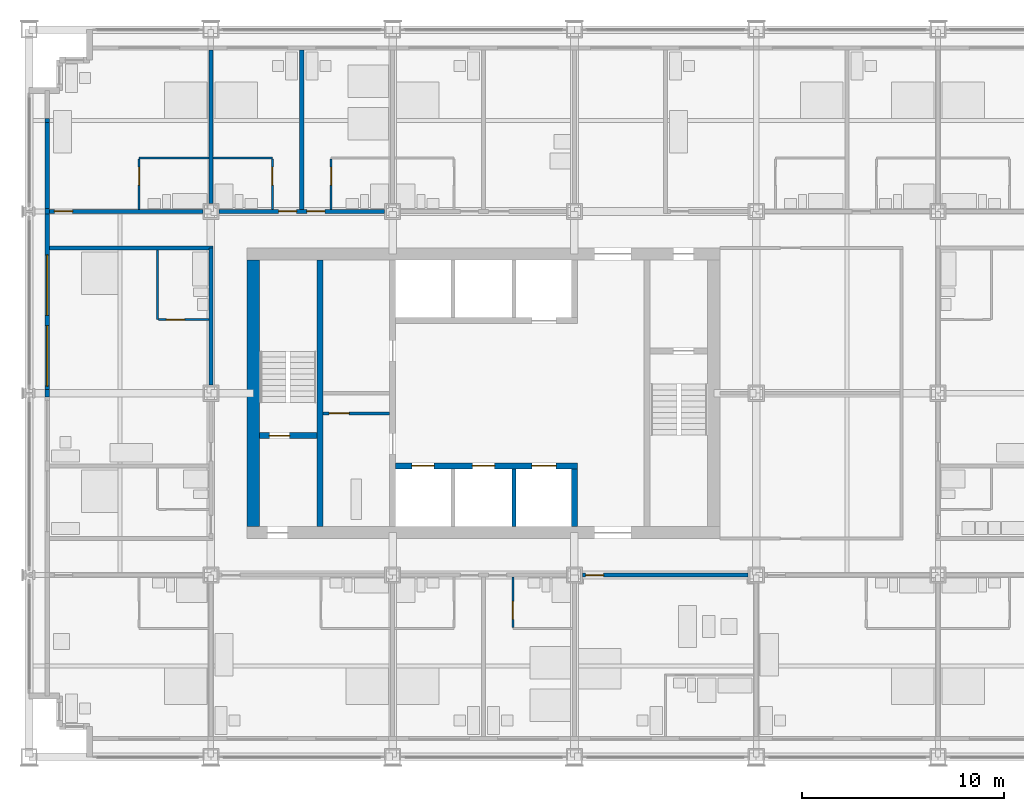
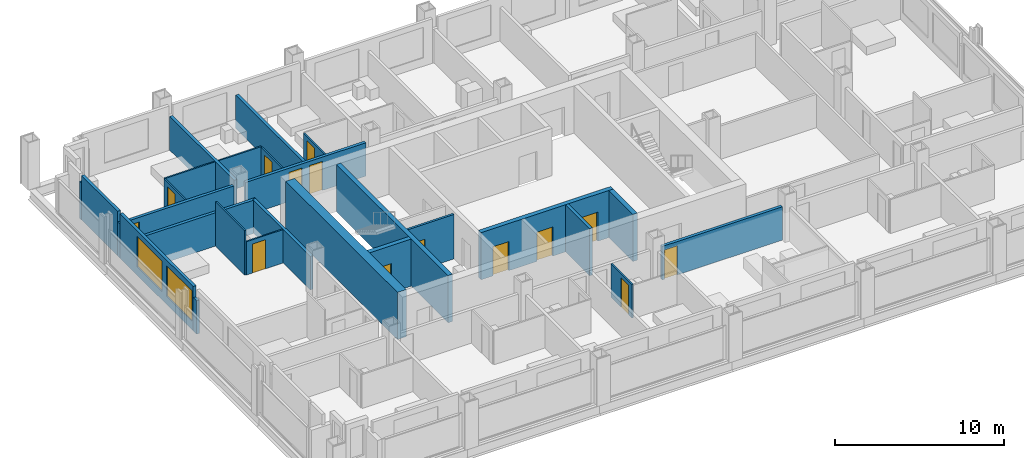
# One storey, part 11 of 18: 27 walls, 14 doors, 2 windows, 16 openings.
"""IFC4 building model written with IfcOpenShell, lengths in metres."""

from ifc_helpers import new_model, si_unit, direction, frame, frame_2d, origin, place, context, subcontext, project, spatial, rectangle, extrude, material, layer, layer_set, type_object, element, fill, save


model = new_model("IFC4")

# Units and contexts
model_context = context("Model", 3, precision=1e-05, world=origin(), true_north=direction((0.0, 1.0)))
body_context = subcontext(model_context, "Body", "Model", "MODEL_VIEW")
ifc_project = project(units=[si_unit("LENGTHUNIT", "METRE"), si_unit("AREAUNIT", "SQUARE_METRE"), si_unit("VOLUMEUNIT", "CUBIC_METRE"), si_unit("PLANEANGLEUNIT", "RADIAN"), si_unit("MASSUNIT", "GRAM", prefix="KILO")], contexts=[model_context])

# Site, building, storey
site_placement = place(None, origin())
site = spatial("IfcSite", under=ifc_project, at=site_placement, CompositionType="ELEMENT")
building_placement = place(site_placement, origin())
building = spatial("IfcBuilding", under=site, at=building_placement, Name="Loomwork Tower", CompositionType="ELEMENT")
storey_placement = place(building_placement, frame((0.0, 0.0, 62.0)))
storey = spatial("IfcBuildingStorey", under=building, at=storey_placement, Name="L15", CompositionType="ELEMENT", Elevation=62.0)

# Wall
ifc_material_1 = material(Name="Concrete 14000 psi (97 MPa)", Category="concrete")
ifc_layer_1 = layer(ifc_material_1, 0.300048828125)
ifc_layer_set_1 = layer_set([ifc_layer_1], Name="Core shear wall 300")
wall_type_1 = type_object("IfcWallType", Name="Core shear wall 300", PredefinedType="SHEAR", material=ifc_layer_set_1)
wall_1_placement = place(storey_placement, frame((14.39990234375, 11.39990234375, 0.0), z_axis=(0.0, 0.0, 1.0), x_axis=(0.0, 1.0, 0.0)))
element("IfcWall", 1, at=wall_1_placement, inside=storey, type_object=wall_type_1, Name="Stair A east wall L15", PredefinedType="SHEAR", context=body_context, shape_type="SweptSolid", body=[
    extrude(rectangle(XDim=13.2001953125, YDim=0.300048828125, at=frame_2d((6.60009765625, 0.0))), origin(), (0.0, 0.0, 1.0), 3.39990234375),
])

# Wall, opening, door
wall_2_placement = place(storey_placement, frame((11.39990234375, 15.89990234375, 0.0), z_axis=(0.0, 0.0, 1.0), x_axis=(1.0, 0.0, 0.0)))
wall_2 = element("IfcWall", 2, at=wall_2_placement, inside=storey, type_object=wall_type_1, Name="Stair A south wall L15", PredefinedType="SHEAR", context=body_context, shape_type="SweptSolid", body=[
    extrude(rectangle(XDim=2.85009765625, YDim=0.300048828125, at=frame_2d((1.425048828125, 0.0))), origin(), (0.0, 0.0, 1.0), 3.39990234375),
])
opening_1_placement = place(wall_2_placement, frame((0.5, 0.0, 0.0)))
opening_1 = element("IfcOpeningElement", 3, at=opening_1_placement, cuts=wall_2, Name="Opening D4", PredefinedType="OPENING", context=body_context, shape_type="SweptSolid", body=[
    extrude(rectangle(XDim=1.0, YDim=2.10009765625, at=frame_2d((0.5, 1.050048828125))), frame((0.0, 0.159912109375, 0.0), z_axis=(0.0, -1.0, 0.0), x_axis=(1.0, 0.0, 0.0)), (0.0, 0.0, 1.0), 0.320068359375),
])
ifc_material_2 = material(Name="Hollow metal door and frame")
door_type_1 = type_object("IfcDoorType", Name="Stair door 1000", OperationType="SINGLE_SWING_RIGHT", PredefinedType="DOOR", material=ifc_material_2)
door_1_placement = place(opening_1_placement, origin())
door_1 = element("IfcDoor", 4, at=door_1_placement, inside=storey, type_object=door_type_1, Name="Stair A door", OperationType="SINGLE_SWING_LEFT", OverallHeight=2.10009765625, OverallWidth=1.0, PredefinedType="DOOR", context=body_context, shape_type="SweptSolid", body=[
    extrude(rectangle(XDim=1.0, YDim=2.10009765625, at=frame_2d((0.5, 1.050048828125))), frame((0.0, 0.02490234375, 0.0), z_axis=(0.0, -1.0, 0.0), x_axis=(1.0, 0.0, 0.0)), (0.0, 0.0, 1.0), 0.050048828125),
])
fill(opening_1, door_1)

# Wall, openings, doors
wall_3_placement = place(storey_placement, frame((18.14990234375, 14.39990234375, 0.0), z_axis=(0.0, 0.0, 1.0), x_axis=(1.0, 0.0, 0.0)))
wall_3 = element("IfcWall", 5, at=wall_3_placement, inside=storey, type_object=wall_type_1, Name="Lift front wall south L15", PredefinedType="SHEAR", context=body_context, shape_type="SweptSolid", body=[
    extrude(rectangle(XDim=9.0, YDim=0.300048828125, at=frame_2d((4.5, 0.0))), origin(), (0.0, 0.0, 1.0), 3.39990234375),
])
opening_2_placement = place(wall_3_placement, frame((0.800048828125, 0.0, 0.0)))
opening_2 = element("IfcOpeningElement", 6, at=opening_2_placement, cuts=wall_3, Name="Opening LD1", PredefinedType="OPENING", context=body_context, shape_type="SweptSolid", body=[
    extrude(rectangle(XDim=1.10009765625, YDim=2.10009765625, at=frame_2d((0.550048828125, 1.050048828125))), frame((0.0, 0.159912109375, 0.0), z_axis=(0.0, -1.0, 0.0), x_axis=(1.0, 0.0, 0.0)), (0.0, 0.0, 1.0), 0.320068359375),
])
opening_3_placement = place(wall_3_placement, frame((3.800048828125, 0.0, 0.0)))
opening_3 = element("IfcOpeningElement", 7, at=opening_3_placement, cuts=wall_3, Name="Opening LD1", PredefinedType="OPENING", context=body_context, shape_type="SweptSolid", body=[
    extrude(rectangle(XDim=1.10009765625, YDim=2.10009765625, at=frame_2d((0.550048828125, 1.050048828125))), frame((0.0, 0.159912109375, 0.0), z_axis=(0.0, -1.0, 0.0), x_axis=(1.0, 0.0, 0.0)), (0.0, 0.0, 1.0), 0.320068359375),
])
opening_4_placement = place(wall_3_placement, frame((6.75, 0.0, 0.0)))
opening_4 = element("IfcOpeningElement", 8, at=opening_4_placement, cuts=wall_3, Name="Opening LD2", PredefinedType="OPENING", context=body_context, shape_type="SweptSolid", body=[
    extrude(rectangle(XDim=1.199951171875, YDim=2.10009765625, at=frame_2d((0.60009765625, 1.050048828125))), frame((0.0, 0.159912109375, 0.0), z_axis=(0.0, -1.0, 0.0), x_axis=(1.0, 0.0, 0.0)), (0.0, 0.0, 1.0), 0.320068359375),
])
ifc_material_3 = material(Name="Hollow metal door and frame")
door_type_2 = type_object("IfcDoorType", Name="Lift landing door 1100", OperationType="SLIDING_TO_LEFT", PredefinedType="DOOR", material=ifc_material_3)
door_2_placement = place(opening_2_placement, origin())
door_2 = element("IfcDoor", 9, at=door_2_placement, inside=storey, type_object=door_type_2, Name="Lift landing door LA1", OperationType="SLIDING_TO_LEFT", OverallHeight=2.10009765625, OverallWidth=1.10009765625, PredefinedType="DOOR", context=body_context, shape_type="SweptSolid", body=[
    extrude(rectangle(XDim=1.10009765625, YDim=2.10009765625, at=frame_2d((0.550048828125, 1.050048828125))), frame((0.0, 0.02490234375, 0.0), z_axis=(0.0, -1.0, 0.0), x_axis=(1.0, 0.0, 0.0)), (0.0, 0.0, 1.0), 0.050048828125),
])
fill(opening_2, door_2)
door_3_placement = place(opening_3_placement, origin())
door_3 = element("IfcDoor", 10, at=door_3_placement, inside=storey, type_object=door_type_2, Name="Lift landing door LA2", OperationType="SLIDING_TO_LEFT", OverallHeight=2.10009765625, OverallWidth=1.10009765625, PredefinedType="DOOR", context=body_context, shape_type="SweptSolid", body=[
    extrude(rectangle(XDim=1.10009765625, YDim=2.10009765625, at=frame_2d((0.550048828125, 1.050048828125))), frame((0.0, 0.02490234375, 0.0), z_axis=(0.0, -1.0, 0.0), x_axis=(1.0, 0.0, 0.0)), (0.0, 0.0, 1.0), 0.050048828125),
])
fill(opening_3, door_3)
ifc_material_4 = material(Name="Hollow metal door and frame")
door_type_3 = type_object("IfcDoorType", Name="Lift landing door 1200", OperationType="SLIDING_TO_LEFT", PredefinedType="DOOR", material=ifc_material_4)
door_4_placement = place(opening_4_placement, origin())
door_4 = element("IfcDoor", 11, at=door_4_placement, inside=storey, type_object=door_type_3, Name="Lift landing door LF1", OperationType="SLIDING_TO_LEFT", OverallHeight=2.10009765625, OverallWidth=1.199951171875, PredefinedType="DOOR", context=body_context, shape_type="SweptSolid", body=[
    extrude(rectangle(XDim=1.199951171875, YDim=2.10009765625, at=frame_2d((0.60009765625, 1.050048828125))), frame((0.0, 0.02490234375, 0.0), z_axis=(0.0, -1.0, 0.0), x_axis=(1.0, 0.0, 0.0)), (0.0, 0.0, 1.0), 0.050048828125),
])
fill(opening_4, door_4)

# Walls
wall_4_placement = place(storey_placement, frame((27.0, 11.39990234375, 0.0), z_axis=(0.0, 0.0, 1.0), x_axis=(0.0, 1.0, 0.0)))
element("IfcWall", 12, at=wall_4_placement, inside=storey, type_object=wall_type_1, Name="Lift shaft end wall south L15", PredefinedType="SHEAR", context=body_context, shape_type="SweptSolid", body=[
    extrude(rectangle(XDim=2.85009765625, YDim=0.300048828125, at=frame_2d((1.425048828125, 0.0))), origin(), (0.0, 0.0, 1.0), 3.39990234375),
])
ifc_material_5 = material(Name="Concrete 14000 psi (97 MPa)", Category="concrete")
ifc_layer_2 = layer(ifc_material_5, 0.60009765625)
ifc_layer_set_2 = layer_set([ifc_layer_2], Name="Core shear wall 600")
wall_type_2 = type_object("IfcWallType", Name="Core shear wall 600", PredefinedType="SHEAR", material=ifc_layer_set_2)
wall_5_placement = place(storey_placement, frame((11.10009765625, 11.39990234375, 0.0), z_axis=(0.0, 0.0, 1.0), x_axis=(0.0, 1.0, 0.0)))
element("IfcWall", 13, at=wall_5_placement, inside=storey, type_object=wall_type_2, Name="Core wall west L15", PredefinedType="SHEAR", context=body_context, shape_type="SweptSolid", body=[
    extrude(rectangle(XDim=13.2001953125, YDim=0.60009765625, at=frame_2d((6.60009765625, 0.0))), origin(), (0.0, 0.0, 1.0), 3.39990234375),
])

# Wall, opening, door
ifc_material_6 = material(Name="Gypsum board on steel studs, one-hour", Category="steel")
ifc_layer_3 = layer(ifc_material_6, 0.199951171875)
ifc_layer_set_3 = layer_set([ifc_layer_3], Name="Corridor wall 200")
wall_type_3 = type_object("IfcWallType", Name="Corridor wall 200", PredefinedType="PARTITIONING", material=ifc_layer_set_3)
wall_6_placement = place(storey_placement, frame((27.39990234375, 9.0, 0.0), z_axis=(0.0, 0.0, 1.0), x_axis=(1.0, 0.0, 0.0)))
wall_6 = element("IfcWall", 14, at=wall_6_placement, inside=storey, type_object=wall_type_3, Name="South corridor wall 4", PredefinedType="PARTITIONING", context=body_context, shape_type="SweptSolid", body=[
    extrude(rectangle(XDim=8.2001953125, YDim=0.199951171875, at=frame_2d((4.10009765625, 0.0))), origin(), (0.0, 0.0, 1.0), 2.405029296875),
])
opening_5_placement = place(wall_6_placement, frame((0.14990234375, 0.0, 0.0)))
opening_5 = element("IfcOpeningElement", 15, at=opening_5_placement, cuts=wall_6, Name="Opening D1", PredefinedType="OPENING", context=body_context, shape_type="SweptSolid", body=[
    extrude(rectangle(XDim=0.89990234375, YDim=2.10009765625, at=frame_2d((0.449951171875, 1.050048828125))), frame((0.0, 0.10986328125, 0.0), z_axis=(0.0, -1.0, 0.0), x_axis=(1.0, 0.0, 0.0)), (0.0, 0.0, 1.0), 0.219970703125),
])
ifc_material_7 = material(Name="Hollow metal door and frame")
door_type_4 = type_object("IfcDoorType", Name="Guest room entry door 900", OperationType="SINGLE_SWING_LEFT", PredefinedType="DOOR", material=ifc_material_7)
door_5_placement = place(opening_5_placement, frame((0.89990234375, 0.0, 0.0), z_axis=(0.0, 0.0, 1.0), x_axis=(-1.0, 0.0, 0.0)))
door_5 = element("IfcDoor", 16, at=door_5_placement, inside=storey, type_object=door_type_4, Name="Guest room entry door L15 5", OperationType="SINGLE_SWING_RIGHT", OverallHeight=2.10009765625, OverallWidth=0.89990234375, PredefinedType="DOOR", context=body_context, shape_type="SweptSolid", body=[
    extrude(rectangle(XDim=0.89990234375, YDim=2.10009765625, at=frame_2d((0.449951171875, 1.050048828125))), frame((0.0, 0.02490234375, 0.0), z_axis=(0.0, -1.0, 0.0), x_axis=(1.0, 0.0, 0.0)), (0.0, 0.0, 1.0), 0.050048828125),
])
fill(opening_5, door_5)

wall_7_placement = place(storey_placement, frame((1.0, 27.0, 0.0), z_axis=(0.0, 0.0, 1.0), x_axis=(1.0, 0.0, 0.0)))
wall_7 = element("IfcWall", 17, at=wall_7_placement, inside=storey, type_object=wall_type_3, Name="North corridor wall 1", PredefinedType="PARTITIONING", context=body_context, shape_type="SweptSolid", body=[
    extrude(rectangle(XDim=7.60009765625, YDim=0.199951171875, at=frame_2d((3.800048828125, 0.0))), origin(), (0.0, 0.0, 1.0), 2.43798828125),
])
opening_6_placement = place(wall_7_placement, frame((0.25, 0.0, 0.0)))
opening_6 = element("IfcOpeningElement", 18, at=opening_6_placement, cuts=wall_7, Name="Opening D1", PredefinedType="OPENING", context=body_context, shape_type="SweptSolid", body=[
    extrude(rectangle(XDim=0.89990234375, YDim=2.10009765625, at=frame_2d((0.449951171875, 1.050048828125))), frame((0.0, 0.10986328125, 0.0), z_axis=(0.0, -1.0, 0.0), x_axis=(1.0, 0.0, 0.0)), (0.0, 0.0, 1.0), 0.219970703125),
])
door_6_placement = place(opening_6_placement, origin())
door_6 = element("IfcDoor", 19, at=door_6_placement, inside=storey, type_object=door_type_4, Name="Guest room entry door L15 8", OperationType="SINGLE_SWING_LEFT", OverallHeight=2.10009765625, OverallWidth=0.89990234375, PredefinedType="DOOR", context=body_context, shape_type="SweptSolid", body=[
    extrude(rectangle(XDim=0.89990234375, YDim=2.10009765625, at=frame_2d((0.449951171875, 1.050048828125))), frame((0.0, 0.02490234375, 0.0), z_axis=(0.0, -1.0, 0.0), x_axis=(1.0, 0.0, 0.0)), (0.0, 0.0, 1.0), 0.050048828125),
])
fill(opening_6, door_6)

# Wall, openings, doors
wall_8_placement = place(storey_placement, frame((9.39990234375, 27.0, 0.0), z_axis=(0.0, 0.0, 1.0), x_axis=(1.0, 0.0, 0.0)))
wall_8 = element("IfcWall", 20, at=wall_8_placement, inside=storey, type_object=wall_type_3, Name="North corridor wall 2", PredefinedType="PARTITIONING", context=body_context, shape_type="SweptSolid", body=[
    extrude(rectangle(XDim=8.2001953125, YDim=0.199951171875, at=frame_2d((4.10009765625, 0.0))), origin(), (0.0, 0.0, 1.0), 2.405029296875),
])
opening_7_placement = place(wall_8_placement, frame((2.949951171875, 0.0, 0.0)))
opening_7 = element("IfcOpeningElement", 21, at=opening_7_placement, cuts=wall_8, Name="Opening D1", PredefinedType="OPENING", context=body_context, shape_type="SweptSolid", body=[
    extrude(rectangle(XDim=0.89990234375, YDim=2.10009765625, at=frame_2d((0.449951171875, 1.050048828125))), frame((0.0, 0.10986328125, 0.0), z_axis=(0.0, -1.0, 0.0), x_axis=(1.0, 0.0, 0.0)), (0.0, 0.0, 1.0), 0.219970703125),
])
opening_8_placement = place(wall_8_placement, frame((4.35009765625, 0.0, 0.0)))
opening_8 = element("IfcOpeningElement", 22, at=opening_8_placement, cuts=wall_8, Name="Opening D1", PredefinedType="OPENING", context=body_context, shape_type="SweptSolid", body=[
    extrude(rectangle(XDim=0.89990234375, YDim=2.10009765625, at=frame_2d((0.449951171875, 1.050048828125))), frame((0.0, 0.10986328125, 0.0), z_axis=(0.0, -1.0, 0.0), x_axis=(1.0, 0.0, 0.0)), (0.0, 0.0, 1.0), 0.219970703125),
])
door_7_placement = place(opening_7_placement, origin())
door_7 = element("IfcDoor", 23, at=door_7_placement, inside=storey, type_object=door_type_4, Name="Guest room entry door L15 9", OperationType="SINGLE_SWING_RIGHT", OverallHeight=2.10009765625, OverallWidth=0.89990234375, PredefinedType="DOOR", context=body_context, shape_type="SweptSolid", body=[
    extrude(rectangle(XDim=0.89990234375, YDim=2.10009765625, at=frame_2d((0.449951171875, 1.050048828125))), frame((0.0, 0.02490234375, 0.0), z_axis=(0.0, -1.0, 0.0), x_axis=(1.0, 0.0, 0.0)), (0.0, 0.0, 1.0), 0.050048828125),
])
fill(opening_7, door_7)
door_8_placement = place(opening_8_placement, origin())
door_8 = element("IfcDoor", 24, at=door_8_placement, inside=storey, type_object=door_type_4, Name="Guest room entry door L15 10", OperationType="SINGLE_SWING_LEFT", OverallHeight=2.10009765625, OverallWidth=0.89990234375, PredefinedType="DOOR", context=body_context, shape_type="SweptSolid", body=[
    extrude(rectangle(XDim=0.89990234375, YDim=2.10009765625, at=frame_2d((0.449951171875, 1.050048828125))), frame((0.0, 0.02490234375, 0.0), z_axis=(0.0, -1.0, 0.0), x_axis=(1.0, 0.0, 0.0)), (0.0, 0.0, 1.0), 0.050048828125),
])
fill(opening_8, door_8)

# Walls
wall_9_placement = place(storey_placement, frame((9.0, 18.39990234375, 0.0), z_axis=(0.0, 0.0, 1.0), x_axis=(0.0, 1.0, 0.0)))
element("IfcWall", 25, at=wall_9_placement, inside=storey, type_object=wall_type_3, Name="West corridor wall 2", PredefinedType="PARTITIONING", context=body_context, shape_type="SweptSolid", body=[
    extrude(rectangle(XDim=6.800048828125, YDim=0.199951171875, at=frame_2d((3.39990234375, 0.0))), origin(), (0.0, 0.0, 1.0), 2.405029296875),
])
wall_10_placement = place(storey_placement, frame((1.0, 25.199951171875, 0.0), z_axis=(0.0, 0.0, 1.0), x_axis=(1.0, 0.0, 0.0)))
element("IfcWall", 26, at=wall_10_placement, inside=storey, type_object=wall_type_3, Name="West band end wall N", PredefinedType="PARTITIONING", context=body_context, shape_type="SweptSolid", body=[
    extrude(rectangle(XDim=8.10009765625, YDim=0.199951171875, at=frame_2d((4.050048828125, 0.0))), origin(), (0.0, 0.0, 1.0), 2.404052734375),
])

# Wall, opening, door
ifc_material_8 = material(Name="Cement board on steel studs", Category="steel")
ifc_layer_4 = layer(ifc_material_8, 0.10009765625)
ifc_layer_set_4 = layer_set([ifc_layer_4], Name="En-suite partition 100")
wall_type_4 = type_object("IfcWallType", Name="En-suite partition 100", PredefinedType="PARTITIONING", material=ifc_layer_set_4)
wall_11_placement = place(storey_placement, frame((23.949951171875, 8.89990234375, 0.0), z_axis=(0.0, 0.0, 1.0), x_axis=(0.0, -1.0, 0.0)))
wall_11 = element("IfcWall", 27, at=wall_11_placement, inside=storey, type_object=wall_type_4, Name="En-suite side wall L15 room 4", PredefinedType="PARTITIONING", context=body_context, shape_type="SweptSolid", body=[
    extrude(rectangle(XDim=2.5, YDim=0.10009765625, at=frame_2d((1.25, 0.0))), origin(), (0.0, 0.0, 1.0), 2.404052734375),
])
opening_9_placement = place(wall_11_placement, frame((1.199951171875, 0.0, 0.0)))
opening_9 = element("IfcOpeningElement", 28, at=opening_9_placement, cuts=wall_11, Name="Opening D2", PredefinedType="OPENING", context=body_context, shape_type="SweptSolid", body=[
    extrude(rectangle(XDim=0.89990234375, YDim=2.10009765625, at=frame_2d((0.449951171875, 1.050048828125))), frame((0.0, 0.06005859375, 0.0), z_axis=(0.0, -1.0, 0.0), x_axis=(1.0, 0.0, 0.0)), (0.0, 0.0, 1.0), 0.1201171875),
])
ifc_material_9 = material(Name="Hollow metal door and frame")
door_type_5 = type_object("IfcDoorType", Name="En-suite door 900", OperationType="SINGLE_SWING_LEFT", PredefinedType="DOOR", material=ifc_material_9)
door_9_placement = place(opening_9_placement, origin())
door_9 = element("IfcDoor", 29, at=door_9_placement, inside=storey, type_object=door_type_5, Name="En-suite door room 4", OperationType="SINGLE_SWING_RIGHT", OverallHeight=2.10009765625, OverallWidth=0.89990234375, PredefinedType="DOOR", context=body_context, shape_type="SweptSolid", body=[
    extrude(rectangle(XDim=0.89990234375, YDim=2.10009765625, at=frame_2d((0.449951171875, 1.050048828125))), frame((0.0, 0.02490234375, 0.0), z_axis=(0.0, -1.0, 0.0), x_axis=(1.0, 0.0, 0.0)), (0.0, 0.0, 1.0), 0.050048828125),
])
fill(opening_9, door_9)

# Wall
wall_12_placement = place(storey_placement, frame((5.449951171875, 29.64990234375, 0.0), z_axis=(0.0, 0.0, 1.0), x_axis=(1.0, 0.0, 0.0)))
element("IfcWall", 30, at=wall_12_placement, inside=storey, type_object=wall_type_4, Name="En-suite wall L15 room 8", PredefinedType="PARTITIONING", context=body_context, shape_type="SweptSolid", body=[
    extrude(rectangle(XDim=3.449951171875, YDim=0.10009765625, at=frame_2d((1.72509765625, 0.0))), origin(), (0.0, 0.0, 1.0), 2.43798828125),
])

# Wall, opening, door
wall_13_placement = place(storey_placement, frame((5.449951171875, 27.10009765625, 0.0), z_axis=(0.0, 0.0, 1.0), x_axis=(0.0, 1.0, 0.0)))
wall_13 = element("IfcWall", 31, at=wall_13_placement, inside=storey, type_object=wall_type_4, Name="En-suite side wall L15 room 8", PredefinedType="PARTITIONING", context=body_context, shape_type="SweptSolid", body=[
    extrude(rectangle(XDim=2.5, YDim=0.10009765625, at=frame_2d((1.25, 0.0))), origin(), (0.0, 0.0, 1.0), 2.43798828125),
])
opening_10_placement = place(wall_13_placement, frame((1.199951171875, 0.0, 0.0)))
opening_10 = element("IfcOpeningElement", 32, at=opening_10_placement, cuts=wall_13, Name="Opening D2", PredefinedType="OPENING", context=body_context, shape_type="SweptSolid", body=[
    extrude(rectangle(XDim=0.89990234375, YDim=2.10009765625, at=frame_2d((0.449951171875, 1.050048828125))), frame((0.0, 0.06005859375, 0.0), z_axis=(0.0, -1.0, 0.0), x_axis=(1.0, 0.0, 0.0)), (0.0, 0.0, 1.0), 0.1201171875),
])
door_10_placement = place(opening_10_placement, frame((0.89990234375, 0.0, 0.0), z_axis=(0.0, 0.0, 1.0), x_axis=(-1.0, 0.0, 0.0)))
door_10 = element("IfcDoor", 33, at=door_10_placement, inside=storey, type_object=door_type_5, Name="En-suite door room 8", OperationType="SINGLE_SWING_LEFT", OverallHeight=2.10009765625, OverallWidth=0.89990234375, PredefinedType="DOOR", context=body_context, shape_type="SweptSolid", body=[
    extrude(rectangle(XDim=0.89990234375, YDim=2.10009765625, at=frame_2d((0.449951171875, 1.050048828125))), frame((0.0, 0.02490234375, 0.0), z_axis=(0.0, -1.0, 0.0), x_axis=(1.0, 0.0, 0.0)), (0.0, 0.0, 1.0), 0.050048828125),
])
fill(opening_10, door_10)

# Wall
wall_14_placement = place(storey_placement, frame((9.10009765625, 29.64990234375, 0.0), z_axis=(0.0, 0.0, 1.0), x_axis=(1.0, 0.0, 0.0)))
element("IfcWall", 34, at=wall_14_placement, inside=storey, type_object=wall_type_4, Name="En-suite wall L15 room 9", PredefinedType="PARTITIONING", context=body_context, shape_type="SweptSolid", body=[
    extrude(rectangle(XDim=2.949951171875, YDim=0.10009765625, at=frame_2d((1.47509765625, 0.0))), origin(), (0.0, 0.0, 1.0), 2.43798828125),
])

# Wall, opening, door
wall_15_placement = place(storey_placement, frame((12.050048828125, 27.10009765625, 0.0), z_axis=(0.0, 0.0, 1.0), x_axis=(0.0, 1.0, 0.0)))
wall_15 = element("IfcWall", 35, at=wall_15_placement, inside=storey, type_object=wall_type_4, Name="En-suite side wall L15 room 9", PredefinedType="PARTITIONING", context=body_context, shape_type="SweptSolid", body=[
    extrude(rectangle(XDim=2.5, YDim=0.10009765625, at=frame_2d((1.25, 0.0))), origin(), (0.0, 0.0, 1.0), 2.404052734375),
])
opening_11_placement = place(wall_15_placement, frame((1.199951171875, 0.0, 0.0)))
opening_11 = element("IfcOpeningElement", 36, at=opening_11_placement, cuts=wall_15, Name="Opening D2", PredefinedType="OPENING", context=body_context, shape_type="SweptSolid", body=[
    extrude(rectangle(XDim=0.89990234375, YDim=2.10009765625, at=frame_2d((0.449951171875, 1.050048828125))), frame((0.0, 0.06005859375, 0.0), z_axis=(0.0, -1.0, 0.0), x_axis=(1.0, 0.0, 0.0)), (0.0, 0.0, 1.0), 0.1201171875),
])
door_11_placement = place(opening_11_placement, origin())
door_11 = element("IfcDoor", 37, at=door_11_placement, inside=storey, type_object=door_type_5, Name="En-suite door room 9", OperationType="SINGLE_SWING_RIGHT", OverallHeight=2.10009765625, OverallWidth=0.89990234375, PredefinedType="DOOR", context=body_context, shape_type="SweptSolid", body=[
    extrude(rectangle(XDim=0.89990234375, YDim=2.10009765625, at=frame_2d((0.449951171875, 1.050048828125))), frame((0.0, 0.02490234375, 0.0), z_axis=(0.0, -1.0, 0.0), x_axis=(1.0, 0.0, 0.0)), (0.0, 0.0, 1.0), 0.050048828125),
])
fill(opening_11, door_11)

wall_16_placement = place(storey_placement, frame((14.949951171875, 27.10009765625, 0.0), z_axis=(0.0, 0.0, 1.0), x_axis=(0.0, 1.0, 0.0)))
wall_16 = element("IfcWall", 38, at=wall_16_placement, inside=storey, type_object=wall_type_4, Name="En-suite side wall L15 room 10", PredefinedType="PARTITIONING", context=body_context, shape_type="SweptSolid", body=[
    extrude(rectangle(XDim=2.5, YDim=0.10009765625, at=frame_2d((1.25, 0.0))), origin(), (0.0, 0.0, 1.0), 2.404052734375),
])
opening_12_placement = place(wall_16_placement, frame((1.199951171875, 0.0, 0.0)))
opening_12 = element("IfcOpeningElement", 39, at=opening_12_placement, cuts=wall_16, Name="Opening D2", PredefinedType="OPENING", context=body_context, shape_type="SweptSolid", body=[
    extrude(rectangle(XDim=0.89990234375, YDim=2.10009765625, at=frame_2d((0.449951171875, 1.050048828125))), frame((0.0, 0.06005859375, 0.0), z_axis=(0.0, -1.0, 0.0), x_axis=(1.0, 0.0, 0.0)), (0.0, 0.0, 1.0), 0.1201171875),
])
door_12_placement = place(opening_12_placement, frame((0.89990234375, 0.0, 0.0), z_axis=(0.0, 0.0, 1.0), x_axis=(-1.0, 0.0, 0.0)))
door_12 = element("IfcDoor", 40, at=door_12_placement, inside=storey, type_object=door_type_5, Name="En-suite door room 10", OperationType="SINGLE_SWING_LEFT", OverallHeight=2.10009765625, OverallWidth=0.89990234375, PredefinedType="DOOR", context=body_context, shape_type="SweptSolid", body=[
    extrude(rectangle(XDim=0.89990234375, YDim=2.10009765625, at=frame_2d((0.449951171875, 1.050048828125))), frame((0.0, 0.02490234375, 0.0), z_axis=(0.0, -1.0, 0.0), x_axis=(1.0, 0.0, 0.0)), (0.0, 0.0, 1.0), 0.050048828125),
])
fill(opening_12, door_12)

# Wall
wall_17_placement = place(storey_placement, frame((6.35009765625, 21.64990234375, 0.0), z_axis=(0.0, 0.0, 1.0), x_axis=(0.0, 1.0, 0.0)))
element("IfcWall", 41, at=wall_17_placement, inside=storey, type_object=wall_type_4, Name="En-suite wall L15 room 17", PredefinedType="PARTITIONING", context=body_context, shape_type="SweptSolid", body=[
    extrude(rectangle(XDim=3.4501953125, YDim=0.10009765625, at=frame_2d((1.72509765625, 0.0))), origin(), (0.0, 0.0, 1.0), 3.199951171875),
])

# Wall, opening, door
wall_18_placement = place(storey_placement, frame((8.89990234375, 21.64990234375, 0.0), z_axis=(0.0, 0.0, 1.0), x_axis=(-1.0, 0.0, 0.0)))
wall_18 = element("IfcWall", 42, at=wall_18_placement, inside=storey, type_object=wall_type_4, Name="En-suite side wall L15 room 17", PredefinedType="PARTITIONING", context=body_context, shape_type="SweptSolid", body=[
    extrude(rectangle(XDim=2.5, YDim=0.10009765625, at=frame_2d((1.25, 0.0))), origin(), (0.0, 0.0, 1.0), 2.404052734375),
])
opening_13_placement = place(wall_18_placement, frame((1.199951171875, 0.0, 0.0)))
opening_13 = element("IfcOpeningElement", 43, at=opening_13_placement, cuts=wall_18, Name="Opening D2", PredefinedType="OPENING", context=body_context, shape_type="SweptSolid", body=[
    extrude(rectangle(XDim=0.89990234375, YDim=2.10009765625, at=frame_2d((0.449951171875, 1.050048828125))), frame((0.0, 0.06005859375, 0.0), z_axis=(0.0, -1.0, 0.0), x_axis=(1.0, 0.0, 0.0)), (0.0, 0.0, 1.0), 0.1201171875),
])
door_13_placement = place(opening_13_placement, frame((0.89990234375, 0.0, 0.0), z_axis=(0.0, 0.0, 1.0), x_axis=(-1.0, 0.0, 0.0)))
door_13 = element("IfcDoor", 44, at=door_13_placement, inside=storey, type_object=door_type_5, Name="En-suite door room 17", OperationType="SINGLE_SWING_LEFT", OverallHeight=2.10009765625, OverallWidth=0.89990234375, PredefinedType="DOOR", context=body_context, shape_type="SweptSolid", body=[
    extrude(rectangle(XDim=0.89990234375, YDim=2.10009765625, at=frame_2d((0.449951171875, 1.050048828125))), frame((0.0, 0.02490234375, 0.0), z_axis=(0.0, -1.0, 0.0), x_axis=(1.0, 0.0, 0.0)), (0.0, 0.0, 1.0), 0.050048828125),
])
fill(opening_13, door_13)

# Walls
ifc_material_10 = material(Name="Gypsum board on steel studs, acoustic", Category="steel")
ifc_layer_5 = layer(ifc_material_10, 0.199951171875)
ifc_layer_set_5 = layer_set([ifc_layer_5], Name="Guest room party wall 200")
wall_type_5 = type_object("IfcWallType", Name="Guest room party wall 200", PredefinedType="PARTITIONING", material=ifc_layer_set_5)
wall_19_placement = place(storey_placement, frame((9.0, 27.39990234375, 0.0), z_axis=(0.0, 0.0, 1.0), x_axis=(0.0, 1.0, 0.0)))
element("IfcWall", 45, at=wall_19_placement, inside=storey, type_object=wall_type_5, Name="Guest room party wall N 9", PredefinedType="PARTITIONING", context=body_context, shape_type="SweptSolid", body=[
    extrude(rectangle(XDim=7.60009765625, YDim=0.199951171875, at=frame_2d((3.800048828125, 0.0))), origin(), (0.0, 0.0, 1.0), 2.43798828125),
])
wall_20_placement = place(storey_placement, frame((13.5, 27.10009765625, 0.0), z_axis=(0.0, 0.0, 1.0), x_axis=(0.0, 1.0, 0.0)))
element("IfcWall", 46, at=wall_20_placement, inside=storey, type_object=wall_type_5, Name="Guest room party wall N 13.5", PredefinedType="PARTITIONING", context=body_context, shape_type="SweptSolid", body=[
    extrude(rectangle(XDim=7.89990234375, YDim=0.199951171875, at=frame_2d((3.949951171875, 0.0))), origin(), (0.0, 0.0, 1.0), 2.404052734375),
])
ifc_material_11 = material(Name="Insulated steel stud wall with gypsum lining", Category="steel")
ifc_layer_6 = layer(ifc_material_11, 0.199951171875)
ifc_layer_set_6 = layer_set([ifc_layer_6], Name="Inner skin wall 200")
wall_type_6 = type_object("IfcWallType", Name="Inner skin wall 200", PredefinedType="SOLIDWALL", material=ifc_layer_set_6)
wall_21_placement = place(storey_placement, frame((0.89990234375, 17.80615234375, 0.0), z_axis=(0.0, 0.0, 1.0), x_axis=(0.0, 1.0, 0.0)))
element("IfcWall", 47, at=wall_21_placement, inside=storey, type_object=wall_type_6, Name="Inner skin wall W bay 6", PredefinedType="SOLIDWALL", context=body_context, shape_type="SweptSolid", body=[
    extrude(rectangle(XDim=0.3876953125, YDim=0.199951171875, at=frame_2d((0.19384765625, 0.0))), origin(), (0.0, 0.0, 1.0), 2.404052734375),
])

# Wall, openings, windows
wall_22_placement = place(storey_placement, frame((0.89990234375, 18.19384765625, 0.0), z_axis=(0.0, 0.0, 1.0), x_axis=(0.0, 1.0, 0.0)))
wall_22 = element("IfcWall", 48, at=wall_22_placement, inside=storey, type_object=wall_type_6, Name="Inner skin wall W bay 7", PredefinedType="SOLIDWALL", context=body_context, shape_type="SweptSolid", body=[
    extrude(rectangle(XDim=8.6708984375, YDim=0.199951171875, at=frame_2d((4.33544921875, 0.0))), origin(), (0.0, 0.0, 1.0), 3.199951171875),
])
opening_14_placement = place(wall_22_placement, frame((0.15625, 0.0, 0.60009765625)))
opening_14 = element("IfcOpeningElement", 49, at=opening_14_placement, cuts=wall_22, Name="Opening CH1", PredefinedType="OPENING", context=body_context, shape_type="SweptSolid", body=[
    extrude(rectangle(XDim=3.0, YDim=2.199951171875, at=frame_2d((1.5, 1.10009765625))), frame((0.0, 0.10986328125, 0.0), z_axis=(0.0, -1.0, 0.0), x_axis=(1.0, 0.0, 0.0)), (0.0, 0.0, 1.0), 0.219970703125),
])
opening_15_placement = place(wall_22_placement, frame((3.65625, 0.0, 0.60009765625)))
opening_15 = element("IfcOpeningElement", 50, at=opening_15_placement, cuts=wall_22, Name="Opening CH1", PredefinedType="OPENING", context=body_context, shape_type="SweptSolid", body=[
    extrude(rectangle(XDim=3.0, YDim=2.199951171875, at=frame_2d((1.5, 1.10009765625))), frame((0.0, 0.10986328125, 0.0), z_axis=(0.0, -1.0, 0.0), x_axis=(1.0, 0.0, 0.0)), (0.0, 0.0, 1.0), 0.219970703125),
])
ifc_material_12 = material(Name="Aluminium frame with clear insulated glass", Category="aluminium")
window_type = type_object("IfcWindowType", Name="Chicago window 3000", PartitioningType="TRIPLE_PANEL_VERTICAL", PredefinedType="WINDOW", material=ifc_material_12)
window_1_placement = place(opening_14_placement, origin())
window_1 = element("IfcWindow", 51, at=window_1_placement, inside=storey, type_object=window_type, Name="Chicago window L15 bay 14", OverallHeight=2.199951171875, OverallWidth=3.0, PartitioningType="TRIPLE_PANEL_VERTICAL", PredefinedType="WINDOW", context=body_context, shape_type="SweptSolid", body=[
    extrude(rectangle(XDim=3.0, YDim=2.199951171875, at=frame_2d((1.5, 1.10009765625))), frame((0.0, 0.030029296875, 0.0), z_axis=(0.0, -1.0, 0.0), x_axis=(1.0, 0.0, 0.0)), (0.0, 0.0, 1.0), 0.06005859375),
])
fill(opening_14, window_1)
window_2_placement = place(opening_15_placement, origin())
window_2 = element("IfcWindow", 52, at=window_2_placement, inside=storey, type_object=window_type, Name="Chicago window L15 bay 14", OverallHeight=2.199951171875, OverallWidth=3.0, PartitioningType="TRIPLE_PANEL_VERTICAL", PredefinedType="WINDOW", context=body_context, shape_type="SweptSolid", body=[
    extrude(rectangle(XDim=3.0, YDim=2.199951171875, at=frame_2d((1.5, 1.10009765625))), frame((0.0, 0.030029296875, 0.0), z_axis=(0.0, -1.0, 0.0), x_axis=(1.0, 0.0, 0.0)), (0.0, 0.0, 1.0), 0.06005859375),
])
fill(opening_15, window_2)

# Walls
wall_23_placement = place(storey_placement, frame((0.89990234375, 26.86474609375, 0.0), z_axis=(0.0, 0.0, 1.0), x_axis=(0.0, 1.0, 0.0)))
element("IfcWall", 53, at=wall_23_placement, inside=storey, type_object=wall_type_6, Name="Inner skin wall W bay 8", PredefinedType="SOLIDWALL", context=body_context, shape_type="SweptSolid", body=[
    extrude(rectangle(XDim=0.2705078125, YDim=0.199951171875, at=frame_2d((0.13525390625, 0.0))), origin(), (0.0, 0.0, 1.0), 2.43798828125),
])
wall_24_placement = place(storey_placement, frame((0.89990234375, 27.13525390625, 0.0), z_axis=(0.0, 0.0, 1.0), x_axis=(0.0, 1.0, 0.0)))
element("IfcWall", 54, at=wall_24_placement, inside=storey, type_object=wall_type_6, Name="Inner skin wall W bay 9", PredefinedType="SOLIDWALL", context=body_context, shape_type="SweptSolid", body=[
    extrude(rectangle(XDim=4.25732421875, YDim=0.199951171875, at=frame_2d((2.128662109375, 0.0))), origin(), (0.0, 0.0, 1.0), 3.199951171875),
])
wall_25_placement = place(storey_placement, frame((0.89990234375, 31.392578125, 0.0), z_axis=(0.0, 0.0, 1.0), x_axis=(0.0, 1.0, 0.0)))
element("IfcWall", 55, at=wall_25_placement, inside=storey, type_object=wall_type_6, Name="Inner skin wall W bay 10", PredefinedType="SOLIDWALL", context=body_context, shape_type="SweptSolid", body=[
    extrude(rectangle(XDim=0.21484375, YDim=0.199951171875, at=frame_2d((0.107421875, 0.0))), origin(), (0.0, 0.0, 1.0), 2.660888671875),
])
ifc_material_13 = material(Name="Concrete 14000 psi (97 MPa)", Category="concrete")
ifc_layer_7 = layer(ifc_material_13, 0.199951171875)
ifc_layer_set_7 = layer_set([ifc_layer_7], Name="Lift shaft wall 200")
wall_type_7 = type_object("IfcWallType", Name="Lift shaft wall 200", PredefinedType="SHEAR", material=ifc_layer_set_7)
wall_26_placement = place(storey_placement, frame((24.0, 11.39990234375, 0.0), z_axis=(0.0, 0.0, 1.0), x_axis=(0.0, 1.0, 0.0)))
element("IfcWall", 56, at=wall_26_placement, inside=storey, type_object=wall_type_7, Name="Lift shaft separation wall south 2 L15", PredefinedType="SHEAR", context=body_context, shape_type="SweptSolid", body=[
    extrude(rectangle(XDim=2.85009765625, YDim=0.199951171875, at=frame_2d((1.425048828125, 0.0))), origin(), (0.0, 0.0, 1.0), 3.39990234375),
])

# Wall, opening, door
ifc_material_14 = material(Name="Gypsum board on steel studs, one-hour", Category="steel")
ifc_layer_8 = layer(ifc_material_14, 0.14990234375)
ifc_layer_set_8 = layer_set([ifc_layer_8], Name="Service partition 150")
wall_type_8 = type_object("IfcWallType", Name="Service partition 150", PredefinedType="PARTITIONING", material=ifc_layer_set_8)
wall_27_placement = place(storey_placement, frame((14.550048828125, 17.0, 0.0), z_axis=(0.0, 0.0, 1.0), x_axis=(1.0, 0.0, 0.0)))
wall_27 = element("IfcWall", 57, at=wall_27_placement, inside=storey, type_object=wall_type_8, Name="Riser enclosure L15", PredefinedType="PARTITIONING", context=body_context, shape_type="SweptSolid", body=[
    extrude(rectangle(XDim=3.300048828125, YDim=0.14990234375, at=frame_2d((1.64990234375, 0.0))), origin(), (0.0, 0.0, 1.0), 3.199951171875),
])
opening_16_placement = place(wall_27_placement, frame((0.300048828125, 0.0, 0.0)))
opening_16 = element("IfcOpeningElement", 58, at=opening_16_placement, cuts=wall_27, Name="Opening D18", PredefinedType="OPENING", context=body_context, shape_type="SweptSolid", body=[
    extrude(rectangle(XDim=1.0, YDim=2.10009765625, at=frame_2d((0.5, 1.050048828125))), frame((0.0, 0.0849609375, 0.0), z_axis=(0.0, -1.0, 0.0), x_axis=(1.0, 0.0, 0.0)), (0.0, 0.0, 1.0), 0.169921875),
])
ifc_material_15 = material(Name="Hollow metal door and frame")
door_type_6 = type_object("IfcDoorType", Name="Ninety-minute service door 1000", OperationType="SINGLE_SWING_LEFT", PredefinedType="DOOR", material=ifc_material_15)
door_14_placement = place(opening_16_placement, frame((1.0, 0.0, 0.0), z_axis=(0.0, 0.0, 1.0), x_axis=(-1.0, 0.0, 0.0)))
door_14 = element("IfcDoor", 59, at=door_14_placement, inside=storey, type_object=door_type_6, Name="Riser access door", OperationType="SINGLE_SWING_RIGHT", OverallHeight=2.10009765625, OverallWidth=1.0, PredefinedType="DOOR", context=body_context, shape_type="SweptSolid", body=[
    extrude(rectangle(XDim=1.0, YDim=2.10009765625, at=frame_2d((0.5, 1.050048828125))), frame((0.0, 0.02490234375, 0.0), z_axis=(0.0, -1.0, 0.0), x_axis=(1.0, 0.0, 0.0)), (0.0, 0.0, 1.0), 0.050048828125),
])
fill(opening_16, door_14)

save(model, "model.ifc")
